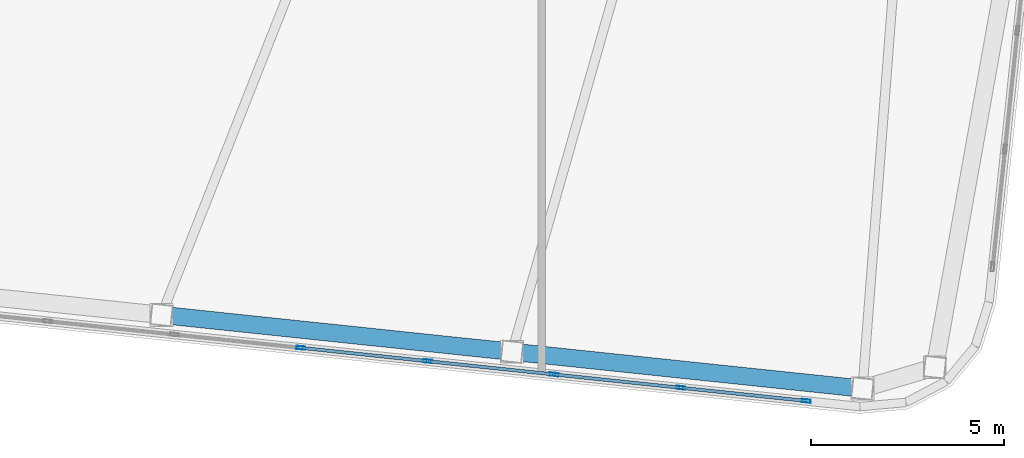
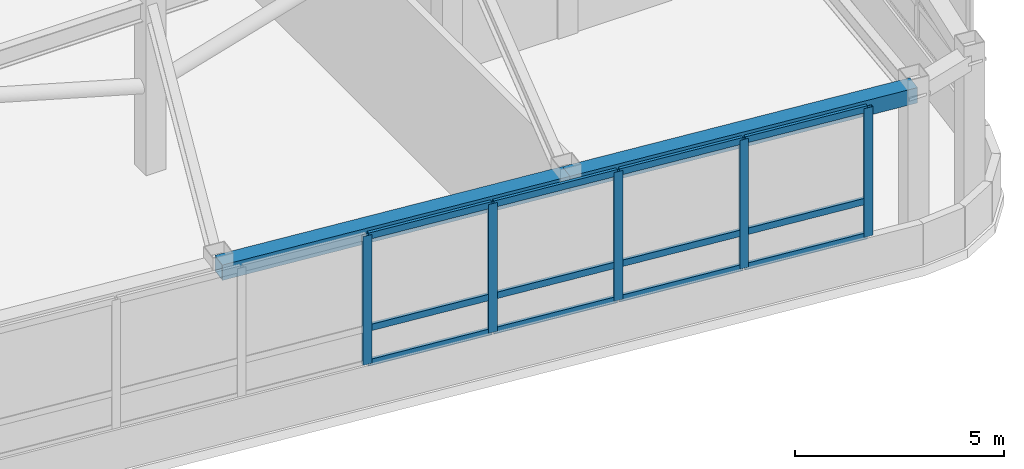
# One storey, part 9 of 21: 17 members, 2 beams, 1 element without a shape of its own.
"""IFC4 building model written with IfcOpenShell, lengths in metres."""

import ifcopenshell
import ifcopenshell.guid

model = None  # the IFC model being written
_history = None  # IfcOwnerHistory: only IFC2X3 demands one
_inside = {}  # id of a spatial element -> (the spatial element, [elements in it])
_under = {}  # id of a project, library or spatial element -> (it, [spatial elements below it])
_declared = {}  # id of a project -> (the project, [libraries it declares])
_typed = {}  # id of a type object -> (the type object, [elements of that type])
_made_of = {}  # id of a material, layer set ... -> (it, [elements and type objects made of it])


def new_model(schema):
    """Start an empty IFC model of exactly this schema.

    Asked for "IFC4X3", IfcOpenShell would pick the latest addendum, in which some entities
    have other attributes; the version numbers below select the first issue.
    IFC2X3 requires an IfcOwnerHistory on every rooted entity: one is made here for all.
    """
    global model, _history
    if schema == "IFC4X3":
        model = ifcopenshell.file(schema_version=(4, 3, 0, 0))
    else:
        model = ifcopenshell.file(schema=schema)
    _inside.clear()
    _under.clear()
    _declared.clear()
    _typed.clear()
    _made_of.clear()
    _history = None
    if model.schema == "IFC2X3":
        org = make("IfcOrganization", Name="unknown")
        user = make(
            "IfcPersonAndOrganization",
            ThePerson=make("IfcPerson", FamilyName="unknown"),
            TheOrganization=org,
        )
        app = make(
            "IfcApplication",
            ApplicationDeveloper=org,
            Version="unknown",
            ApplicationFullName="unknown",
            ApplicationIdentifier="unknown",
        )
        _history = make(
            "IfcOwnerHistory",
            OwningUser=user,
            OwningApplication=app,
            ChangeAction="ADDED",
            CreationDate=0,
        )
    return model


def make(cls, **values):
    """One entity of the class cls with the attributes given. An attribute that is None is left unset."""
    return model.create_entity(
        cls, **{name: value for name, value in values.items() if value is not None}
    )


def rooted(cls, **values):
    """An entity with a GlobalId (a new one), such as an element, a storey or a relation."""
    return make(cls, GlobalId=ifcopenshell.guid.new(), OwnerHistory=_history, **values)


def si_unit(unit_type, name, prefix=None):
    """IfcSIUnit, for example si_unit("LENGTHUNIT", "METRE", prefix="MILLI")."""
    return make("IfcSIUnit", UnitType=unit_type, Prefix=prefix, Name=name)


def assignment(units):
    """IfcUnitAssignment: the units of a project."""
    return None if units is None else make("IfcUnitAssignment", Units=units)


def point(xyz):
    """IfcCartesianPoint."""
    return None if xyz is None else make("IfcCartesianPoint", Coordinates=xyz)


def direction(xyz):
    """IfcDirection."""
    return None if xyz is None else make("IfcDirection", DirectionRatios=xyz)


def frame(location, z_axis=None, x_axis=None):
    """IfcAxis2Placement3D, a coordinate frame: its origin and axes. An axis left out is left unset."""
    return make(
        "IfcAxis2Placement3D",
        Location=point(location),
        Axis=direction(z_axis),
        RefDirection=direction(x_axis),
    )


def frame_2d(location, x_axis=None):
    """IfcAxis2Placement2D, a coordinate frame in the plane: its origin and x axis."""
    return make(
        "IfcAxis2Placement2D", Location=point(location), RefDirection=direction(x_axis)
    )


def origin():
    """The frame at (0, 0, 0) with its axes left unset."""
    return frame((0.0, 0.0, 0.0))


def origin_2d():
    """The frame at (0, 0) in the plane with its x axis left unset."""
    return frame_2d((0.0, 0.0))


def place(relative_to, where):
    """IfcLocalPlacement: puts the frame where relative to a parent placement (None: the world)."""
    return make(
        "IfcLocalPlacement", PlacementRelTo=relative_to, RelativePlacement=where
    )


def context(
    kind, dimensions, precision=None, world=None, true_north=None, identifier=None
):
    """IfcGeometricRepresentationContext, for example the 3D "Model" context."""
    return make(
        "IfcGeometricRepresentationContext",
        ContextIdentifier=identifier,
        ContextType=kind,
        CoordinateSpaceDimension=dimensions,
        Precision=precision,
        WorldCoordinateSystem=world,
        TrueNorth=true_north,
    )


def subcontext(parent, identifier, kind, view, scale=None):
    """IfcGeometricRepresentationSubContext, for example "Body" below "Model"."""
    return make(
        "IfcGeometricRepresentationSubContext",
        ContextIdentifier=identifier,
        ContextType=kind,
        ParentContext=parent,
        TargetScale=scale,
        TargetView=view,
    )


def project(units=None, contexts=None):
    """IfcProject with its units and contexts."""
    return rooted(
        "IfcProject",
        Name="project",
        RepresentationContexts=contexts,
        UnitsInContext=assignment(units),
    )


def spatial(cls, under=None, at=None, **own):
    """A site, building, storey or space (cls), placed at a placement, below another one or the project."""
    s = rooted(cls, ObjectPlacement=at, **own)
    if under is not None:
        _under.setdefault(under.id(), (under, []))[1].append(s)
    return s


def profile(cls, at=None, kind="AREA", **sizes):
    """A parametric profile (cls). Its sizes go by their IFC names, for example OverallWidth=200.0."""
    return make(cls, ProfileType=kind, Position=at, **sizes)


def hollow_rectangle(**sizes):
    """IfcRectangleHollowProfileDef."""
    return profile("IfcRectangleHollowProfileDef", **sizes)


def extrude(swept, where, along, depth):
    """IfcExtrudedAreaSolid: the profile swept, set in the frame where, extruded along a direction by depth."""
    return make(
        "IfcExtrudedAreaSolid",
        SweptArea=swept,
        Position=where,
        ExtrudedDirection=direction(along),
        Depth=depth,
    )


def shape(context_of_items, identifier, shape_type, items):
    """IfcShapeRepresentation: the items that make up one representation, for example the "Body"."""
    return make(
        "IfcShapeRepresentation",
        ContextOfItems=context_of_items,
        RepresentationIdentifier=identifier,
        RepresentationType=shape_type,
        Items=items,
    )


def material(Name=None, Category=None):
    """IfcMaterial."""
    return make("IfcMaterial", Name=Name, Category=Category)


def layer(
    of_material, thickness, ventilated=None, Name=None, Category=None, Priority=None
):
    """IfcMaterialLayer: one layer of a wall or slab, of a material (None: an air gap)."""
    return make(
        "IfcMaterialLayer",
        Material=of_material,
        LayerThickness=thickness,
        IsVentilated=ventilated,
        Name=Name,
        Category=Category,
        Priority=Priority,
    )


def layer_set(layers, Name=None):
    """IfcMaterialLayerSet."""
    return make("IfcMaterialLayerSet", MaterialLayers=layers, LayerSetName=Name)


def material_profile(
    of_material, cross_section, Name=None, Category=None, Priority=None
):
    """IfcMaterialProfile: a cross section and its material."""
    return make(
        "IfcMaterialProfile",
        Name=Name,
        Material=of_material,
        Profile=cross_section,
        Priority=Priority,
        Category=Category,
    )


def profile_set(profiles, Name=None, composite=None):
    """IfcMaterialProfileSet."""
    return make(
        "IfcMaterialProfileSet",
        Name=Name,
        MaterialProfiles=profiles,
        CompositeProfile=composite,
    )


def made_of(thing, what):
    """Note that an element or type object is made of a material, layer set ...; save() writes the relation."""
    if what is not None:
        _made_of.setdefault(what.id(), (what, []))[1].append(thing)
    return thing


def type_object(cls, material=None, **own):
    """A type object (cls), such as IfcWallType, which elements share."""
    return made_of(rooted(cls, **own), material)


def element(
    cls,
    number,
    at=None,
    inside=None,
    cuts=None,
    type_object=None,
    material=None,
    context=None,
    identifier="Body",
    shape_type=None,
    held_by="IfcProductDefinitionShape",
    body=None,
    shapes=None,
    **own,
):
    """One element of the class cls, such as IfcWall. Its Tag is "e" and its number.

    at: its placement. inside: the storey or other place that contains it. cuts: it is an
    opening in that element (IfcRelVoidsElement). A single representation is given by context,
    identifier, shape_type and body (its items); several are given by shapes. held_by: the class
    of the entity that holds the representations. save() writes the other relations.
    """
    e = rooted(cls, Tag="e%d" % number, ObjectPlacement=at, **own)
    if body is not None:
        shapes = [shape(context, identifier, shape_type, body)]
    if shapes is not None:
        e.Representation = make(held_by, Representations=shapes)
    if inside is not None:
        _inside.setdefault(inside.id(), (inside, []))[1].append(e)
    if cuts is not None:
        rooted(
            "IfcRelVoidsElement", RelatingBuildingElement=cuts, RelatedOpeningElement=e
        )
    if type_object is not None:
        _typed.setdefault(type_object.id(), (type_object, []))[1].append(e)
    return made_of(e, material)


def aggregate(whole, parts):
    """IfcRelAggregates: a whole, such as a stair, and the parts it consists of."""
    return rooted("IfcRelAggregates", RelatingObject=whole, RelatedObjects=parts)


def save(model, path):
    """Write the relations noted so far, then the file.

    IfcRelAggregates (storeys below a building ...), IfcRelContainedInSpatialStructure (elements
    in a storey), IfcRelDefinesByType, IfcRelAssociatesMaterial and IfcRelDeclares: one each for
    every whole, place, type object, material and project.
    """
    for whole, parts in _under.values():
        aggregate(whole, parts)
    for where, things in _inside.values():
        rooted(
            "IfcRelContainedInSpatialStructure",
            RelatedElements=things,
            RelatingStructure=where,
        )
    for kind, things in _typed.values():
        rooted("IfcRelDefinesByType", RelatedObjects=things, RelatingType=kind)
    for what, things in _made_of.values():
        rooted("IfcRelAssociatesMaterial", RelatedObjects=things, RelatingMaterial=what)
    for by, libraries in _declared.values():
        rooted("IfcRelDeclares", RelatingContext=by, RelatedDefinitions=libraries)
    model.write(path)


model = new_model("IFC4")

# Units and contexts
model_context = context("Model", 3, precision=1e-05, world=origin(), true_north=direction((0.0, 1.0)))
body_context = subcontext(model_context, "Body", "Model", "MODEL_VIEW")
ifc_project = project(units=[si_unit("LENGTHUNIT", "METRE"), si_unit("AREAUNIT", "SQUARE_METRE"), si_unit("VOLUMEUNIT", "CUBIC_METRE"), si_unit("PLANEANGLEUNIT", "RADIAN"), si_unit("MASSUNIT", "GRAM", prefix="KILO")], contexts=[model_context])

# Site, building, storey
site_placement = place(None, origin())
site = spatial("IfcSite", under=ifc_project, at=site_placement, CompositionType="ELEMENT")
building_placement = place(site_placement, origin())
building = spatial("IfcBuilding", under=site, at=building_placement, Name="Voryun Gate Residences", CompositionType="ELEMENT")
storey_placement = place(building_placement, frame((0.0, 0.0, 337.199951171875)))
storey = spatial("IfcBuildingStorey", under=building, at=storey_placement, Name="L82", CompositionType="ELEMENT", Elevation=337.199951171875)

# Beams
ifc_material_1 = material(Name="Steel SM355", Category="steel")
ifc_material_profile_1 = material_profile(ifc_material_1, hollow_rectangle(XDim=0.449951171875, YDim=0.449951171875, WallThickness=0.01806640625, at=origin_2d()), Name="BOX-450x450x18")
ifc_profile_set_1 = profile_set([ifc_material_profile_1], Name="Steel SM355")
beam_type = type_object("IfcBeamType", Name="BM_CROWN_RING", PredefinedType="BEAM", material=ifc_profile_set_1)
for number, where, z_axis, x_axis, name in (
    (1, (0.121337890625, -17.731689453125, 4.735107421875), (0.994523919568, -0.104509202498, 0.0), (0.104509202498, 0.994523919568, 0.0), "BM-L82-SPAND-04"),
    (2, (9.19140625, -18.684814453125, 4.735107421875), (0.994521136856, -0.104535679778, 0.0), (0.104535679778, 0.994521136856, 0.0), "BM-L82-SPAND-05"),
):
    element("IfcBeam", number, at=place(storey_placement, frame(where, z_axis=z_axis, x_axis=x_axis)), inside=storey, type_object=beam_type, Name=name, PredefinedType="BEAM", context=body_context, shape_type="SweptSolid", body=[
        extrude(hollow_rectangle(XDim=0.449951171875, YDim=0.449951171875, WallThickness=0.01806640625, at=origin_2d()), origin(), (0.0, 0.0, 1.0), 9.1201171875),
    ])

# Curtain wall, members
ifc_material_2 = material(Name="Anodised aluminium", Category="aluminium")
ifc_layer = layer(ifc_material_2, 0.22998046875, Name="CW_SYS_LANTERN_DARK_GLASS")
ifc_layer_set = layer_set([ifc_layer], Name="Anodised aluminium")
curtain_wall_type = type_object("IfcCurtainWallType", Name="CW_SYS_LANTERN_DARK_GLASS", PredefinedType="NOTDEFINED", material=ifc_layer_set)
curtain_wall_placement = place(storey_placement, origin())
curtain_wall = element("IfcCurtainWall", 3, at=curtain_wall_placement, inside=storey, type_object=curtain_wall_type, Name="Curtain wall CW6-L82-01", PredefinedType="NOTDEFINED")
ifc_material_3 = material(Name="Anodised aluminium", Category="aluminium")
ifc_material_profile_2 = material_profile(ifc_material_3, hollow_rectangle(XDim=0.0849609375, YDim=0.22998046875, WallThickness=0.006103515625, at=origin_2d()), Name="ALU-MULL-230x85x6")
ifc_profile_set_2 = profile_set([ifc_material_profile_2], Name="Anodised aluminium")
member_type_1 = type_object("IfcMemberType", Name="CW_MULL_LANT", PredefinedType="MULLION", material=ifc_profile_set_2)
member_1_placement = place(storey_placement, frame((16.8056640625, -19.957763671875, 1.18994140625), z_axis=(0.0, 0.0, 1.0), x_axis=(-0.10452775858, -0.994521969434, 0.0)))
member_1 = element("IfcMember", 4, at=member_1_placement, type_object=member_type_1, Name="CW6 mullion 1", PredefinedType="MULLION", context=body_context, shape_type="SweptSolid", body=[
    extrude(hollow_rectangle(XDim=0.0849609375, YDim=0.22998046875, WallThickness=0.006103515625, at=origin_2d()), origin(), (0.0, 0.0, 1.0), 3.77001953125),
])
member_2_placement = place(storey_placement, frame((13.558837890625, -19.616455078125, 1.18994140625), z_axis=(0.0, 0.0, 1.0), x_axis=(-0.10452775858, -0.994521969434, 0.0)))
member_2 = element("IfcMember", 5, at=member_2_placement, type_object=member_type_1, Name="CW6 mullion 2", PredefinedType="MULLION", context=body_context, shape_type="SweptSolid", body=[
    extrude(hollow_rectangle(XDim=0.0849609375, YDim=0.22998046875, WallThickness=0.006103515625, at=origin_2d()), origin(), (0.0, 0.0, 1.0), 3.77001953125),
])
member_3_placement = place(storey_placement, frame((10.2822265625, -19.272216796875, 1.18994140625), z_axis=(0.0, 0.0, 1.0), x_axis=(-0.10452775858, -0.994521969434, 0.0)))
member_3 = element("IfcMember", 6, at=member_3_placement, type_object=member_type_1, Name="CW6 mullion 3", PredefinedType="MULLION", context=body_context, shape_type="SweptSolid", body=[
    extrude(hollow_rectangle(XDim=0.0849609375, YDim=0.22998046875, WallThickness=0.006103515625, at=origin_2d()), origin(), (0.0, 0.0, 1.0), 3.77001953125),
])
member_4_placement = place(storey_placement, frame((7.005615234375, -18.927734375, 1.18994140625), z_axis=(0.0, 0.0, 1.0), x_axis=(-0.10452775858, -0.994521969434, 0.0)))
member_4 = element("IfcMember", 7, at=member_4_placement, type_object=member_type_1, Name="CW6 mullion 4", PredefinedType="MULLION", context=body_context, shape_type="SweptSolid", body=[
    extrude(hollow_rectangle(XDim=0.0849609375, YDim=0.22998046875, WallThickness=0.006103515625, at=origin_2d()), origin(), (0.0, 0.0, 1.0), 3.77001953125),
])
member_5_placement = place(storey_placement, frame((3.72900390625, -18.583251953125, 1.18994140625), z_axis=(0.0, 0.0, 1.0), x_axis=(-0.10452775858, -0.994521969434, 0.0)))
member_5 = element("IfcMember", 8, at=member_5_placement, type_object=member_type_1, Name="CW6 mullion 5", PredefinedType="MULLION", context=body_context, shape_type="SweptSolid", body=[
    extrude(hollow_rectangle(XDim=0.0849609375, YDim=0.22998046875, WallThickness=0.006103515625, at=origin_2d()), origin(), (0.0, 0.0, 1.0), 3.77001953125),
])
ifc_material_4 = material(Name="Anodised aluminium", Category="aluminium")
ifc_material_profile_3 = material_profile(ifc_material_4, hollow_rectangle(XDim=0.0849609375, YDim=0.18994140625, WallThickness=0.006103515625, at=origin_2d()), Name="ALU-TRAN-190x85x6")
ifc_profile_set_3 = profile_set([ifc_material_profile_3], Name="Anodised aluminium")
member_type_2 = type_object("IfcMemberType", Name="CW_TRAN_LANT", PredefinedType="USERDEFINED", material=ifc_profile_set_3)
member_6_placement = place(storey_placement, frame((16.775634765625, -19.95458984375, 1.219970703125), z_axis=(-0.994522138405, 0.104526150903, 0.0), x_axis=(-0.104526150903, -0.994522138405, 0.0)))
member_6 = element("IfcMember", 9, at=member_6_placement, type_object=member_type_2, Name="CW6 transom 1.1", ObjectType="TRANSOM", PredefinedType="USERDEFINED", context=body_context, shape_type="SweptSolid", body=[
    extrude(hollow_rectangle(XDim=0.0849609375, YDim=0.18994140625, WallThickness=0.006103515625, at=origin_2d()), origin(), (0.0, 0.0, 1.0), 3.20458984375),
])
member_7_placement = place(storey_placement, frame((16.775634765625, -19.95458984375, 2.239990234375), z_axis=(-0.994522138405, 0.104526150903, 0.0), x_axis=(-0.104526150903, -0.994522138405, 0.0)))
member_7 = element("IfcMember", 10, at=member_7_placement, type_object=member_type_2, Name="CW6 transom 1.2", ObjectType="TRANSOM", PredefinedType="USERDEFINED", context=body_context, shape_type="SweptSolid", body=[
    extrude(hollow_rectangle(XDim=0.0849609375, YDim=0.18994140625, WallThickness=0.006103515625, at=origin_2d()), origin(), (0.0, 0.0, 1.0), 3.20458984375),
])
member_8_placement = place(storey_placement, frame((16.775634765625, -19.95458984375, 4.929931640625), z_axis=(-0.994522138405, 0.104526150903, 0.0), x_axis=(-0.104526150903, -0.994522138405, 0.0)))
member_8 = element("IfcMember", 11, at=member_8_placement, type_object=member_type_2, Name="CW6 transom 1.3", ObjectType="TRANSOM", PredefinedType="USERDEFINED", context=body_context, shape_type="SweptSolid", body=[
    extrude(hollow_rectangle(XDim=0.0849609375, YDim=0.18994140625, WallThickness=0.006103515625, at=origin_2d()), origin(), (0.0, 0.0, 1.0), 3.20458984375),
])
member_9_placement = place(storey_placement, frame((13.529052734375, -19.61328125, 1.219970703125), z_axis=(-0.994521569819, 0.104531560613, 0.0), x_axis=(-0.104531560613, -0.994521569819, 0.0)))
member_9 = element("IfcMember", 12, at=member_9_placement, type_object=member_type_2, Name="CW6 transom 2.1", ObjectType="TRANSOM", PredefinedType="USERDEFINED", context=body_context, shape_type="SweptSolid", body=[
    extrude(hollow_rectangle(XDim=0.0849609375, YDim=0.18994140625, WallThickness=0.006103515625, at=origin_2d()), origin(), (0.0, 0.0, 1.0), 3.23486328125),
])
member_10_placement = place(storey_placement, frame((13.529052734375, -19.61328125, 2.239990234375), z_axis=(-0.994521569819, 0.104531560613, 0.0), x_axis=(-0.104531560613, -0.994521569819, 0.0)))
member_10 = element("IfcMember", 13, at=member_10_placement, type_object=member_type_2, Name="CW6 transom 2.2", ObjectType="TRANSOM", PredefinedType="USERDEFINED", context=body_context, shape_type="SweptSolid", body=[
    extrude(hollow_rectangle(XDim=0.0849609375, YDim=0.18994140625, WallThickness=0.006103515625, at=origin_2d()), origin(), (0.0, 0.0, 1.0), 3.23486328125),
])
member_11_placement = place(storey_placement, frame((13.529052734375, -19.61328125, 4.929931640625), z_axis=(-0.994521569819, 0.104531560613, 0.0), x_axis=(-0.104531560613, -0.994521569819, 0.0)))
member_11 = element("IfcMember", 14, at=member_11_placement, type_object=member_type_2, Name="CW6 transom 2.3", ObjectType="TRANSOM", PredefinedType="USERDEFINED", context=body_context, shape_type="SweptSolid", body=[
    extrude(hollow_rectangle(XDim=0.0849609375, YDim=0.18994140625, WallThickness=0.006103515625, at=origin_2d()), origin(), (0.0, 0.0, 1.0), 3.23486328125),
])
member_12_placement = place(storey_placement, frame((10.252197265625, -19.26904296875, 1.219970703125), z_axis=(-0.994520745033, 0.104539407398, 0.0), x_axis=(-0.104539407398, -0.994520745033, 0.0)))
member_12 = element("IfcMember", 15, at=member_12_placement, type_object=member_type_2, Name="CW6 transom 3.1", ObjectType="TRANSOM", PredefinedType="USERDEFINED", context=body_context, shape_type="SweptSolid", body=[
    extrude(hollow_rectangle(XDim=0.0849609375, YDim=0.18994140625, WallThickness=0.006103515625, at=origin_2d()), origin(), (0.0, 0.0, 1.0), 3.234619140625),
])
member_13_placement = place(storey_placement, frame((10.252197265625, -19.26904296875, 2.239990234375), z_axis=(-0.994520745033, 0.104539407398, 0.0), x_axis=(-0.104539407398, -0.994520745033, 0.0)))
member_13 = element("IfcMember", 16, at=member_13_placement, type_object=member_type_2, Name="CW6 transom 3.2", ObjectType="TRANSOM", PredefinedType="USERDEFINED", context=body_context, shape_type="SweptSolid", body=[
    extrude(hollow_rectangle(XDim=0.0849609375, YDim=0.18994140625, WallThickness=0.006103515625, at=origin_2d()), origin(), (0.0, 0.0, 1.0), 3.234619140625),
])
member_14_placement = place(storey_placement, frame((10.252197265625, -19.26904296875, 4.929931640625), z_axis=(-0.994520745033, 0.104539407398, 0.0), x_axis=(-0.104539407398, -0.994520745033, 0.0)))
member_14 = element("IfcMember", 17, at=member_14_placement, type_object=member_type_2, Name="CW6 transom 3.3", ObjectType="TRANSOM", PredefinedType="USERDEFINED", context=body_context, shape_type="SweptSolid", body=[
    extrude(hollow_rectangle(XDim=0.0849609375, YDim=0.18994140625, WallThickness=0.006103515625, at=origin_2d()), origin(), (0.0, 0.0, 1.0), 3.234619140625),
])
member_15_placement = place(storey_placement, frame((6.9755859375, -18.924560546875, 1.219970703125), z_axis=(-0.994520745033, 0.104539407398, 0.0), x_axis=(-0.104539407398, -0.994520745033, 0.0)))
member_15 = element("IfcMember", 18, at=member_15_placement, type_object=member_type_2, Name="CW6 transom 4.1", ObjectType="TRANSOM", PredefinedType="USERDEFINED", context=body_context, shape_type="SweptSolid", body=[
    extrude(hollow_rectangle(XDim=0.0849609375, YDim=0.18994140625, WallThickness=0.006103515625, at=origin_2d()), origin(), (0.0, 0.0, 1.0), 3.234619140625),
])
member_16_placement = place(storey_placement, frame((6.9755859375, -18.924560546875, 2.239990234375), z_axis=(-0.994520745033, 0.104539407398, 0.0), x_axis=(-0.104539407398, -0.994520745033, 0.0)))
member_16 = element("IfcMember", 19, at=member_16_placement, type_object=member_type_2, Name="CW6 transom 4.2", ObjectType="TRANSOM", PredefinedType="USERDEFINED", context=body_context, shape_type="SweptSolid", body=[
    extrude(hollow_rectangle(XDim=0.0849609375, YDim=0.18994140625, WallThickness=0.006103515625, at=origin_2d()), origin(), (0.0, 0.0, 1.0), 3.234619140625),
])
member_17_placement = place(storey_placement, frame((6.9755859375, -18.924560546875, 4.929931640625), z_axis=(-0.994520745033, 0.104539407398, 0.0), x_axis=(-0.104539407398, -0.994520745033, 0.0)))
member_17 = element("IfcMember", 20, at=member_17_placement, type_object=member_type_2, Name="CW6 transom 4.3", ObjectType="TRANSOM", PredefinedType="USERDEFINED", context=body_context, shape_type="SweptSolid", body=[
    extrude(hollow_rectangle(XDim=0.0849609375, YDim=0.18994140625, WallThickness=0.006103515625, at=origin_2d()), origin(), (0.0, 0.0, 1.0), 3.234619140625),
])
aggregate(curtain_wall, [member_1, member_2, member_3, member_4, member_5, member_6, member_7, member_8, member_9, member_10, member_11, member_12, member_13, member_14, member_15, member_16, member_17])

save(model, "model.ifc")
